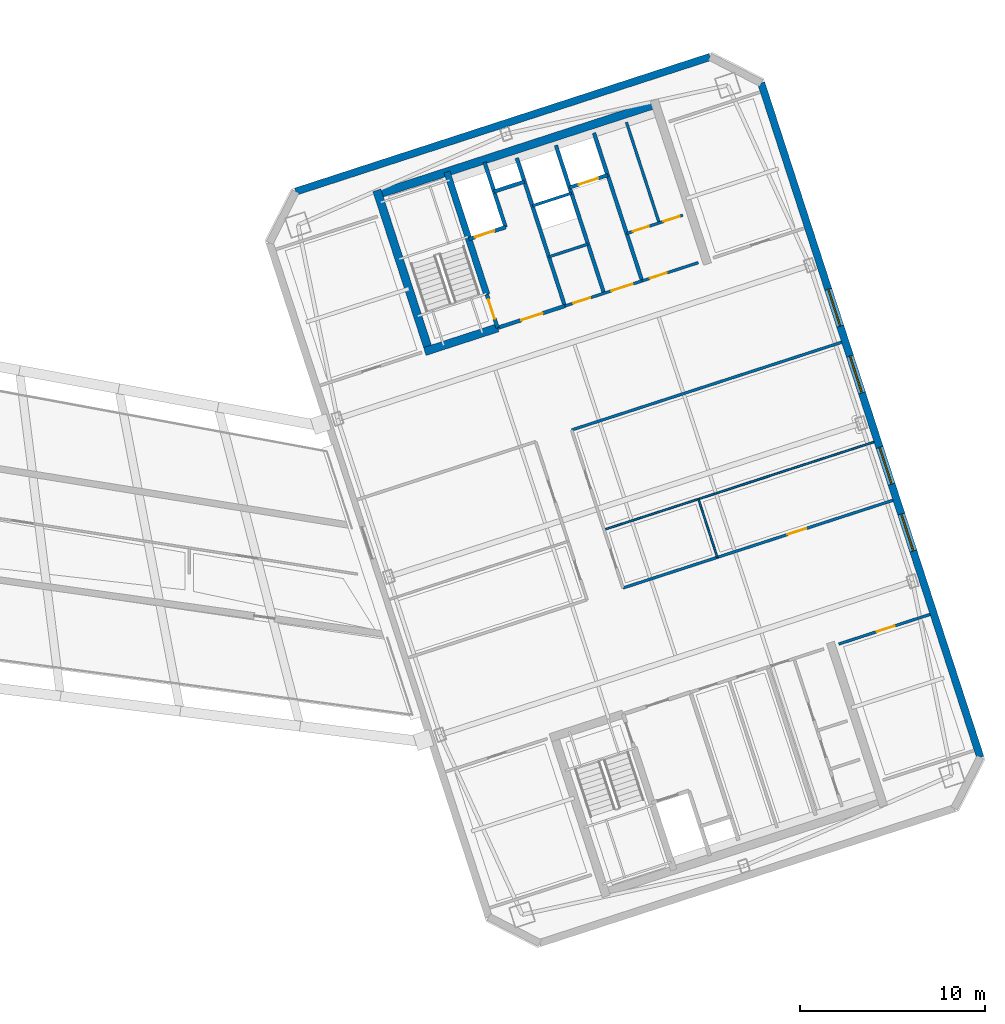
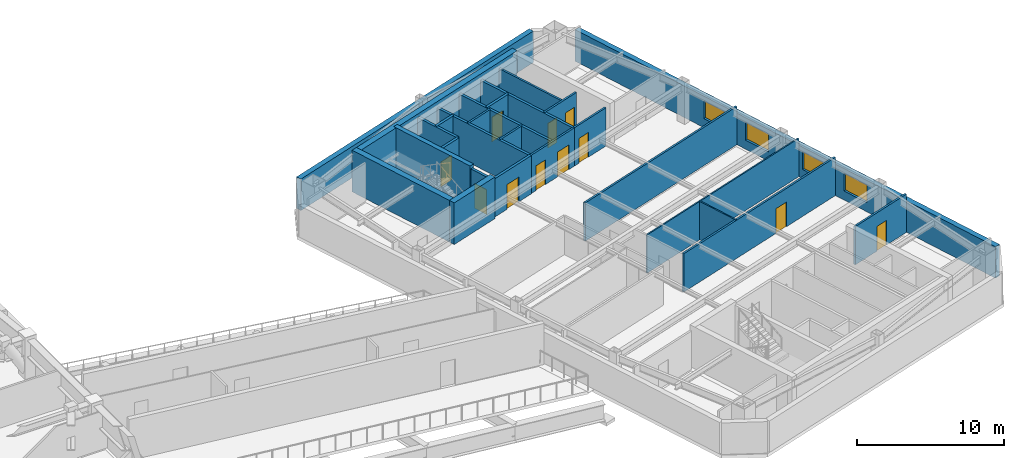
# One storey, part 10 of 18: 26 walls, 11 doors, 4 windows, 15 openings.
"""IFC4 building model written with IfcOpenShell, lengths in metres."""

from ifc_helpers import new_model, si_unit, direction, frame, frame_2d, origin, place, context, subcontext, project, spatial, rectangle, extrude, material, layer, layer_set, type_object, element, fill, save


model = new_model("IFC4")

# Units and contexts
model_context = context("Model", 3, precision=1e-05, world=origin(), true_north=direction((0.0, 1.0)))
body_context = subcontext(model_context, "Body", "Model", "MODEL_VIEW")
ifc_project = project(units=[si_unit("LENGTHUNIT", "METRE"), si_unit("AREAUNIT", "SQUARE_METRE"), si_unit("VOLUMEUNIT", "CUBIC_METRE"), si_unit("PLANEANGLEUNIT", "RADIAN"), si_unit("MASSUNIT", "GRAM", prefix="KILO")], contexts=[model_context])

# Site, building, storey
site_placement = place(None, origin())
site = spatial("IfcSite", under=ifc_project, at=site_placement, CompositionType="ELEMENT")
building_placement = place(site_placement, origin())
building = spatial("IfcBuilding", under=site, at=building_placement, Name="Qiaolan Cultural Towers", CompositionType="ELEMENT")
storey_placement = place(building_placement, frame((0.0, 0.0, 219.64990234375)))
storey = spatial("IfcBuildingStorey", under=building, at=storey_placement, Name="L59", CompositionType="ELEMENT", Elevation=219.64990234375)

# Walls
ifc_material_1 = material(Name="Concrete C50", Category="concrete")
ifc_layer_1 = layer(ifc_material_1, 0.35009765625)
ifc_layer_set_1 = layer_set([ifc_layer_1], Name="Concrete C50")
wall_type_1 = type_object("IfcWallType", Name="WL-CORE-350", PredefinedType="SHEAR", material=ifc_layer_set_1)
wall_1_placement = place(storey_placement, frame((82.513671875, 45.13134765625, 0.0), z_axis=(0.0, 0.0, 1.0), x_axis=(-0.308988790936, 0.951065679686, 0.0)))
element("IfcWall", 1, at=wall_1_placement, inside=storey, type_object=wall_type_1, Name="L59 T2-CN Stair Core Dividing Web", PredefinedType="SHEAR", context=body_context, shape_type="SweptSolid", body=[
    extrude(rectangle(XDim=6.97998046875, YDim=0.35009765625, at=frame_2d((3.489990234375, 0.0))), origin(), (0.0, 0.0, 1.0), 3.4501953125),
])
ifc_material_2 = material(Name="Concrete C50", Category="concrete")
ifc_layer_2 = layer(ifc_material_2, 0.449951171875)
ifc_layer_set_2 = layer_set([ifc_layer_2], Name="Concrete C50")
wall_type_2 = type_object("IfcWallType", Name="WL-CORE-450", PredefinedType="SHEAR", material=ifc_layer_set_2)
wall_2_placement = place(storey_placement, frame((76.414794921875, 50.489013671875, 0.0), z_axis=(0.0, 0.0, 1.0), x_axis=(0.951056810414, 0.309016089169, 0.0)))
element("IfcWall", 2, at=wall_2_placement, inside=storey, type_object=wall_type_2, Name="L59 T2-CN Outer Core Shear Wall", PredefinedType="SHEAR", context=body_context, shape_type="SweptSolid", body=[
    extrude(rectangle(XDim=16.25, YDim=0.449951171875, at=frame_2d((8.125, 0.0))), origin(), (0.0, 0.0, 1.0), 3.4501953125),
])
wall_3_placement = place(storey_placement, frame((79.4423828125, 41.899169921875, 0.0), z_axis=(0.0, 0.0, 1.0), x_axis=(-0.309035778627, 0.951050412717, 0.0)))
element("IfcWall", 3, at=wall_3_placement, inside=storey, type_object=wall_type_2, Name="L59 T2-CN West Core Shear Wall", PredefinedType="SHEAR", context=body_context, shape_type="SweptSolid", body=[
    extrude(rectangle(XDim=9.330078125, YDim=0.449951171875, at=frame_2d((4.6650390625, 0.0))), origin(), (0.0, 0.0, 1.0), 3.4501953125),
])
wall_4_placement = place(storey_placement, frame((79.15869140625, 42.04345703125, 0.0), z_axis=(0.0, 0.0, 1.0), x_axis=(0.951047485828, 0.309044785913, 0.0)))
element("IfcWall", 4, at=wall_4_placement, inside=storey, type_object=wall_type_2, Name="L59 T2-CN Stair Front Shear Wall", PredefinedType="SHEAR", context=body_context, shape_type="SweptSolid", body=[
    extrude(rectangle(XDim=4.14501953125, YDim=0.449951171875, at=frame_2d((2.072509765625, 0.0))), origin(), (0.0, 0.0, 1.0), 3.4501953125),
])
ifc_material_3 = material(Name="Precast Concrete C50 Honed Stone Pier", Category="masonry")
ifc_layer_3 = layer(ifc_material_3, 0.39990234375)
ifc_layer_set_3 = layer_set([ifc_layer_3], Name="Precast Concrete C50 Honed Stone Pier")
wall_type_3 = type_object("IfcWallType", Name="WL-EXT-PIER-400", PredefinedType="SOLIDWALL", material=ifc_layer_set_3)
wall_5_placement = place(storey_placement, frame((72.16455078125, 50.706298828125, 0.0), z_axis=(0.0, 0.0, 1.0), x_axis=(0.951058012937, 0.309012388148, 0.0)))
element("IfcWall", 5, at=wall_5_placement, inside=storey, type_object=wall_type_3, Name="L59 East Tower Precast Pier Facade Wall F3", PredefinedType="SOLIDWALL", context=body_context, shape_type="SweptSolid", body=[
    extrude(rectangle(XDim=23.60009765625, YDim=0.39990234375, at=frame_2d((11.800048828125, 0.0))), origin(), (0.0, 0.0, 1.0), 2.610107421875),
])

# Wall, openings, windows
wall_6_placement = place(storey_placement, frame((97.381591796875, 56.58642578125, 0.0), z_axis=(0.0, 0.0, 1.0), x_axis=(0.309016491071, -0.951056679828, 0.0)))
wall_6 = element("IfcWall", 6, at=wall_6_placement, inside=storey, type_object=wall_type_3, Name="L59 East Tower Precast Pier Facade Wall F5", PredefinedType="SOLIDWALL", context=body_context, shape_type="SweptSolid", body=[
    extrude(rectangle(XDim=38.39990234375, YDim=0.39990234375, at=frame_2d((19.199951171875, 0.0))), origin(), (0.0, 0.0, 1.0), 2.610107421875),
])
opening_1_placement = place(wall_6_placement, frame((24.550048828125, 0.0, 0.75)))
opening_1 = element("IfcOpeningElement", 7, at=opening_1_placement, cuts=wall_6, Name="Opening W-05", PredefinedType="OPENING", context=body_context, shape_type="SweptSolid", body=[
    extrude(rectangle(XDim=2.10009765625, YDim=1.4599609375, at=frame_2d((1.050048828125, 0.72998046875))), frame((0.0, 0.2099609375, 0.0), z_axis=(0.0, -1.0, 0.0), x_axis=(1.0, 0.0, 0.0)), (0.0, 0.0, 1.0), 0.419921875),
])
opening_2_placement = place(wall_6_placement, frame((20.75, 0.0, 0.75)))
opening_2 = element("IfcOpeningElement", 8, at=opening_2_placement, cuts=wall_6, Name="Opening W-05", PredefinedType="OPENING", context=body_context, shape_type="SweptSolid", body=[
    extrude(rectangle(XDim=2.10009765625, YDim=1.4599609375, at=frame_2d((1.050048828125, 0.72998046875))), frame((0.0, 0.2099609375, 0.0), z_axis=(0.0, -1.0, 0.0), x_axis=(1.0, 0.0, 0.0)), (0.0, 0.0, 1.0), 0.419921875),
])
opening_3_placement = place(wall_6_placement, frame((15.550048828125, 0.0, 0.75)))
opening_3 = element("IfcOpeningElement", 9, at=opening_3_placement, cuts=wall_6, Name="Opening W-05", PredefinedType="OPENING", context=body_context, shape_type="SweptSolid", body=[
    extrude(rectangle(XDim=2.10009765625, YDim=1.4599609375, at=frame_2d((1.050048828125, 0.72998046875))), frame((0.0, 0.2099609375, 0.0), z_axis=(0.0, -1.0, 0.0), x_axis=(1.0, 0.0, 0.0)), (0.0, 0.0, 1.0), 0.419921875),
])
opening_4_placement = place(wall_6_placement, frame((11.75, 0.0, 0.75)))
opening_4 = element("IfcOpeningElement", 10, at=opening_4_placement, cuts=wall_6, Name="Opening W-05", PredefinedType="OPENING", context=body_context, shape_type="SweptSolid", body=[
    extrude(rectangle(XDim=2.10009765625, YDim=1.4599609375, at=frame_2d((1.050048828125, 0.72998046875))), frame((0.0, 0.2099609375, 0.0), z_axis=(0.0, -1.0, 0.0), x_axis=(1.0, 0.0, 0.0)), (0.0, 0.0, 1.0), 0.419921875),
])
ifc_material_4 = material(Name="Thermally Broken Aluminium Triple Low-E Glazing", Category="aluminium")
window_type = type_object("IfcWindowType", Name="WN-CHIC-2100", PartitioningType="SINGLE_PANEL", PredefinedType="WINDOW", material=ifc_material_4)
window_1_placement = place(opening_1_placement, origin())
window_1 = element("IfcWindow", 11, at=window_1_placement, inside=storey, type_object=window_type, Name="L59 T2 E Chicago Bay Window 1", OverallHeight=1.4599609375, OverallWidth=2.10009765625, PartitioningType="TRIPLE_PANEL_VERTICAL", PredefinedType="WINDOW", context=body_context, shape_type="SweptSolid", body=[
    extrude(rectangle(XDim=2.10009765625, YDim=1.4599609375, at=frame_2d((1.050048828125, 0.72998046875))), frame((0.0, 0.030029296875, 0.0), z_axis=(0.0, -1.0, 0.0), x_axis=(1.0, 0.0, 0.0)), (0.0, 0.0, 1.0), 0.06005859375),
])
fill(opening_1, window_1)
window_2_placement = place(opening_2_placement, origin())
window_2 = element("IfcWindow", 12, at=window_2_placement, inside=storey, type_object=window_type, Name="L59 T2 E Chicago Bay Window 2", OverallHeight=1.4599609375, OverallWidth=2.10009765625, PartitioningType="TRIPLE_PANEL_VERTICAL", PredefinedType="WINDOW", context=body_context, shape_type="SweptSolid", body=[
    extrude(rectangle(XDim=2.10009765625, YDim=1.4599609375, at=frame_2d((1.050048828125, 0.72998046875))), frame((0.0, 0.030029296875, 0.0), z_axis=(0.0, -1.0, 0.0), x_axis=(1.0, 0.0, 0.0)), (0.0, 0.0, 1.0), 0.06005859375),
])
fill(opening_2, window_2)
window_3_placement = place(opening_3_placement, origin())
window_3 = element("IfcWindow", 13, at=window_3_placement, inside=storey, type_object=window_type, Name="L59 T2 E Chicago Bay Window 3", OverallHeight=1.4599609375, OverallWidth=2.10009765625, PartitioningType="TRIPLE_PANEL_VERTICAL", PredefinedType="WINDOW", context=body_context, shape_type="SweptSolid", body=[
    extrude(rectangle(XDim=2.10009765625, YDim=1.4599609375, at=frame_2d((1.050048828125, 0.72998046875))), frame((0.0, 0.030029296875, 0.0), z_axis=(0.0, -1.0, 0.0), x_axis=(1.0, 0.0, 0.0)), (0.0, 0.0, 1.0), 0.06005859375),
])
fill(opening_3, window_3)
window_4_placement = place(opening_4_placement, origin())
window_4 = element("IfcWindow", 14, at=window_4_placement, inside=storey, type_object=window_type, Name="L59 T2 E Chicago Bay Window 4", OverallHeight=1.4599609375, OverallWidth=2.10009765625, PartitioningType="TRIPLE_PANEL_VERTICAL", PredefinedType="WINDOW", context=body_context, shape_type="SweptSolid", body=[
    extrude(rectangle(XDim=2.10009765625, YDim=1.4599609375, at=frame_2d((1.050048828125, 0.72998046875))), frame((0.0, 0.030029296875, 0.0), z_axis=(0.0, -1.0, 0.0), x_axis=(1.0, 0.0, 0.0)), (0.0, 0.0, 1.0), 0.06005859375),
])
fill(opening_4, window_4)

# Wall, opening, door
ifc_material_5 = material(Name="Concrete C35 Fire Wall", Category="concrete")
ifc_layer_4 = layer(ifc_material_5, 0.199951171875)
ifc_layer_set_4 = layer_set([ifc_layer_4], Name="Concrete C35 Fire Wall")
wall_type_4 = type_object("IfcWallType", Name="WL-FIRE-200", PredefinedType="PARTITIONING", material=ifc_layer_set_4)
wall_7_placement = place(storey_placement, frame((83.100830078125, 43.324462890625, 0.0), z_axis=(0.0, 0.0, 1.0), x_axis=(-0.309048298632, 0.951046344356, 0.0)))
wall_7 = element("IfcWall", 15, at=wall_7_placement, inside=storey, type_object=wall_type_4, Name="L59 T2-CN Smokeproof Stair Entry Wall", PredefinedType="PARTITIONING", context=body_context, shape_type="SweptSolid", body=[
    extrude(rectangle(XDim=1.89990234375, YDim=0.199951171875, at=frame_2d((0.949951171875, 0.0))), origin(), (0.0, 0.0, 1.0), 3.175048828125),
])
opening_5_placement = place(wall_7_placement, frame((0.52001953125, 0.0, 0.0)))
opening_5 = element("IfcOpeningElement", 16, at=opening_5_placement, cuts=wall_7, Name="Opening FD-04", PredefinedType="OPENING", context=body_context, shape_type="SweptSolid", body=[
    extrude(rectangle(XDim=1.10009765625, YDim=2.050048828125, at=frame_2d((0.550048828125, 1.02490234375))), frame((0.0, 0.10986328125, 0.0), z_axis=(0.0, -1.0, 0.0), x_axis=(1.0, 0.0, 0.0)), (0.0, 0.0, 1.0), 0.219970703125),
])
ifc_material_6 = material(Name="Galvanized Steel Command Fire Door", Category="steel")
door_type_1 = type_object("IfcDoorType", Name="DR-FD90-1100", OperationType="NOTDEFINED", PredefinedType="DOOR", material=ifc_material_6)
door_1_placement = place(opening_5_placement, origin())
door_1 = element("IfcDoor", 17, at=door_1_placement, inside=storey, type_object=door_type_1, Name="L59 ST-E2 Smokeproof Stair Fire Door", OperationType="SINGLE_SWING_LEFT", OverallHeight=2.050048828125, OverallWidth=1.10009765625, PredefinedType="DOOR", context=body_context, shape_type="SweptSolid", body=[
    extrude(rectangle(XDim=1.10009765625, YDim=2.050048828125, at=frame_2d((0.550048828125, 1.02490234375))), frame((0.0, 0.02490234375, 0.0), z_axis=(0.0, -1.0, 0.0), x_axis=(1.0, 0.0, 0.0)), (0.0, 0.0, 1.0), 0.050048828125),
])
fill(opening_5, door_1)

# Wall
wall_8_placement = place(storey_placement, frame((86.743408203125, 44.508056640625, 0.0), z_axis=(0.0, 0.0, 1.0), x_axis=(-0.309016001439, 0.951056838919, 0.0)))
element("IfcWall", 18, at=wall_8_placement, inside=storey, type_object=wall_type_4, Name="L59 T2-CN Firefighting Zone Wall", PredefinedType="PARTITIONING", context=body_context, shape_type="SweptSolid", body=[
    extrude(rectangle(XDim=8.429931640625, YDim=0.199951171875, at=frame_2d((4.21484375, 0.0))), origin(), (0.0, 0.0, 1.0), 3.175048828125),
])

# Wall, opening, door
wall_9_placement = place(storey_placement, frame((83.100830078125, 43.324462890625, 0.0), z_axis=(0.0, 0.0, 1.0), x_axis=(0.951052804469, 0.309028417967, 0.0)))
wall_9 = element("IfcWall", 19, at=wall_9_placement, inside=storey, type_object=wall_type_4, Name="L59 T2-CN Firefighting Lobby Front Wall", PredefinedType="PARTITIONING", context=body_context, shape_type="SweptSolid", body=[
    extrude(rectangle(XDim=3.830078125, YDim=0.199951171875, at=frame_2d((1.9150390625, 0.0))), origin(), (0.0, 0.0, 1.0), 3.175048828125),
])
opening_6_placement = place(wall_9_placement, frame((1.35009765625, 0.0, 0.0)))
opening_6 = element("IfcOpeningElement", 20, at=opening_6_placement, cuts=wall_9, Name="Opening FD-03", PredefinedType="OPENING", context=body_context, shape_type="SweptSolid", body=[
    extrude(rectangle(XDim=1.199951171875, YDim=2.050048828125, at=frame_2d((0.60009765625, 1.02490234375))), frame((0.0, 0.10986328125, 0.0), z_axis=(0.0, -1.0, 0.0), x_axis=(1.0, 0.0, 0.0)), (0.0, 0.0, 1.0), 0.219970703125),
])
ifc_material_7 = material(Name="Galvanized Steel Smokeproof Lobby Fire Door", Category="steel")
door_type_2 = type_object("IfcDoorType", Name="DR-FD90-1200", OperationType="NOTDEFINED", PredefinedType="DOOR", material=ifc_material_7)
door_2_placement = place(opening_6_placement, origin())
door_2 = element("IfcDoor", 21, at=door_2_placement, inside=storey, type_object=door_type_2, Name="L59 FFL-E2 Firefighting Lobby Fire Door", OperationType="SINGLE_SWING_LEFT", OverallHeight=2.050048828125, OverallWidth=1.199951171875, PredefinedType="DOOR", context=body_context, shape_type="SweptSolid", body=[
    extrude(rectangle(XDim=1.199951171875, YDim=2.050048828125, at=frame_2d((0.60009765625, 1.02490234375))), frame((0.0, 0.02490234375, 0.0), z_axis=(0.0, -1.0, 0.0), x_axis=(1.0, 0.0, 0.0)), (0.0, 0.0, 1.0), 0.050048828125),
])
fill(opening_6, door_2)

wall_10_placement = place(storey_placement, frame((81.540283203125, 48.127197265625, 0.0), z_axis=(0.0, 0.0, 1.0), x_axis=(0.951062257173, 0.308999325213, 0.0)))
wall_10 = element("IfcWall", 22, at=wall_10_placement, inside=storey, type_object=wall_type_4, Name="L59 T2-CN Firefighting Shaft Front Wall", PredefinedType="PARTITIONING", context=body_context, shape_type="SweptSolid", body=[
    extrude(rectangle(XDim=2.10009765625, YDim=0.199951171875, at=frame_2d((1.050048828125, 0.0))), origin(), (0.0, 0.0, 1.0), 3.175048828125),
])
opening_7_placement = place(wall_10_placement, frame((0.35009765625, 0.0, 0.0)))
opening_7 = element("IfcOpeningElement", 23, at=opening_7_placement, cuts=wall_10, Name="Opening LD-01", PredefinedType="OPENING", context=body_context, shape_type="SweptSolid", body=[
    extrude(rectangle(XDim=1.10009765625, YDim=2.050048828125, at=frame_2d((0.550048828125, 1.02490234375))), frame((0.0, 0.10986328125, 0.0), z_axis=(0.0, -1.0, 0.0), x_axis=(1.0, 0.0, 0.0)), (0.0, 0.0, 1.0), 0.219970703125),
])
ifc_material_8 = material(Name="Brushed Stainless Steel S30408 Centre-Parting Lift Landing Door", Category="steel")
door_type_3 = type_object("IfcDoorType", Name="DR-LIFT-1100", OperationType="NOTDEFINED", PredefinedType="DOOR", material=ifc_material_8)
door_3_placement = place(opening_7_placement, origin())
door_3 = element("IfcDoor", 24, at=door_3_placement, inside=storey, type_object=door_type_3, Name="L59 FFL-E2 Firefighting Lift Landing Door", OperationType="DOUBLE_DOOR_SLIDING", OverallHeight=2.050048828125, OverallWidth=1.10009765625, PredefinedType="DOOR", context=body_context, shape_type="SweptSolid", body=[
    extrude(rectangle(XDim=1.10009765625, YDim=2.050048828125, at=frame_2d((0.550048828125, 1.02490234375))), frame((0.0, 0.02490234375, 0.0), z_axis=(0.0, -1.0, 0.0), x_axis=(1.0, 0.0, 0.0)), (0.0, 0.0, 1.0), 0.050048828125),
])
fill(opening_7, door_3)

# Walls
wall_11_placement = place(storey_placement, frame((83.53759765625, 48.776123046875, 0.0), z_axis=(0.0, 0.0, 1.0), x_axis=(-0.3089935693, 0.951064127245, 0.0)))
element("IfcWall", 25, at=wall_11_placement, inside=storey, type_object=wall_type_4, Name="L59 T2-CN Firefighting Hoistway East Wall", PredefinedType="PARTITIONING", context=body_context, shape_type="SweptSolid", body=[
    extrude(rectangle(XDim=3.7001953125, YDim=0.199951171875, at=frame_2d((1.85009765625, 0.0))), origin(), (0.0, 0.0, 1.0), 3.175048828125),
])
wall_12_placement = place(storey_placement, frame((82.910400390625, 50.706787109375, 0.0), z_axis=(0.0, 0.0, 1.0), x_axis=(0.951041328149, 0.309063734775, 0.0)))
element("IfcWall", 26, at=wall_12_placement, inside=storey, type_object=wall_type_4, Name="L59 T2-CN Pressurization Shaft Front Wall", PredefinedType="PARTITIONING", context=body_context, shape_type="SweptSolid", body=[
    extrude(rectangle(XDim=1.72998046875, YDim=0.199951171875, at=frame_2d((0.864990234375, 0.0))), origin(), (0.0, 0.0, 1.0), 3.175048828125),
])
wall_13_placement = place(storey_placement, frame((90.92822265625, 45.86767578125, 0.0), z_axis=(0.0, 0.0, 1.0), x_axis=(-0.309042196757, 0.951048327176, 0.0)))
element("IfcWall", 27, at=wall_13_placement, inside=storey, type_object=wall_type_4, Name="L59 T2-CN Lift Core East Wall", PredefinedType="PARTITIONING", context=body_context, shape_type="SweptSolid", body=[
    extrude(rectangle(XDim=8.429931640625, YDim=0.199951171875, at=frame_2d((4.21484375, 0.0))), origin(), (0.0, 0.0, 1.0), 3.175048828125),
])
wall_14_placement = place(storey_placement, frame((88.8642578125, 45.197021484375, 0.0), z_axis=(0.0, 0.0, 1.0), x_axis=(-0.309007490203, 0.951059604335, 0.0)))
element("IfcWall", 28, at=wall_14_placement, inside=storey, type_object=wall_type_4, Name="L59 T2-CN Sky Shuttle Lift Zone Wall", PredefinedType="PARTITIONING", context=body_context, shape_type="SweptSolid", body=[
    extrude(rectangle(XDim=8.43017578125, YDim=0.199951171875, at=frame_2d((4.215087890625, 0.0))), origin(), (0.0, 0.0, 1.0), 3.175048828125),
])

# Wall, opening, door
wall_15_placement = place(storey_placement, frame((87.004150390625, 50.92236328125, 0.0), z_axis=(0.0, 0.0, 1.0), x_axis=(0.951041509718, 0.309063176055, 0.0)))
wall_15 = element("IfcWall", 29, at=wall_15_placement, inside=storey, type_object=wall_type_4, Name="L59 T2-CN Shuttle Lift Shaft Front", PredefinedType="PARTITIONING", context=body_context, shape_type="SweptSolid", body=[
    extrude(rectangle(XDim=2.169921875, YDim=0.199951171875, at=frame_2d((1.0849609375, 0.0))), origin(), (0.0, 0.0, 1.0), 3.175048828125),
])
opening_8_placement = place(wall_15_placement, frame((0.52001953125, 0.0, 0.0)))
opening_8 = element("IfcOpeningElement", 30, at=opening_8_placement, cuts=wall_15, Name="Opening LD-01", PredefinedType="OPENING", context=body_context, shape_type="SweptSolid", body=[
    extrude(rectangle(XDim=1.10009765625, YDim=2.050048828125, at=frame_2d((0.550048828125, 1.02490234375))), frame((0.0, 0.10986328125, 0.0), z_axis=(0.0, -1.0, 0.0), x_axis=(1.0, 0.0, 0.0)), (0.0, 0.0, 1.0), 0.219970703125),
])
door_4_placement = place(opening_8_placement, origin())
door_4 = element("IfcDoor", 31, at=door_4_placement, inside=storey, type_object=door_type_3, Name="L59 Sky Shuttle Lift Landing Door", OperationType="DOUBLE_DOOR_SLIDING", OverallHeight=2.050048828125, OverallWidth=1.10009765625, PredefinedType="DOOR", context=body_context, shape_type="SweptSolid", body=[
    extrude(rectangle(XDim=1.10009765625, YDim=2.050048828125, at=frame_2d((0.550048828125, 1.02490234375))), frame((0.0, 0.02490234375, 0.0), z_axis=(0.0, -1.0, 0.0), x_axis=(1.0, 0.0, 0.0)), (0.0, 0.0, 1.0), 0.050048828125),
])
fill(opening_8, door_4)

# Walls
ifc_material_9 = material(Name="Acoustic Double-Glazed Partition Frame", Category="glass")
ifc_layer_5 = layer(ifc_material_9, 0.10009765625)
ifc_layer_set_5 = layer_set([ifc_layer_5], Name="Acoustic Double-Glazed Partition Frame")
wall_type_5 = type_object("IfcWallType", Name="WL-GLAZED-100", PredefinedType="MOVABLE", material=ifc_layer_set_5)
wall_16_placement = place(storey_placement, frame((95.004638671875, 30.89453125, 0.0), z_axis=(0.0, 0.0, 1.0), x_axis=(-0.30900459381, 0.951060545394, 0.0)))
element("IfcWall", 32, at=wall_16_placement, inside=storey, type_object=wall_type_5, Name="L59 T2 Interior Wall", PredefinedType="MOVABLE", context=body_context, shape_type="SweptSolid", body=[
    extrude(rectangle(XDim=3.320068359375, YDim=0.10009765625, at=frame_2d((1.66015625, 0.0))), origin(), (0.0, 0.0, 1.0), 3.175048828125),
])
wall_17_placement = place(storey_placement, frame((88.86669921875, 32.39111328125, 0.0), z_axis=(0.0, 0.0, 1.0), x_axis=(0.951059970956, 0.309006361819, 0.0)))
element("IfcWall", 33, at=wall_17_placement, inside=storey, type_object=wall_type_5, Name="L59 T2 Interior Wall", PredefinedType="MOVABLE", context=body_context, shape_type="SweptSolid", body=[
    extrude(rectangle(XDim=15.375, YDim=0.10009765625, at=frame_2d((7.6875, 0.0))), origin(), (0.0, 0.0, 1.0), 3.175048828125),
])

# Wall, openings, doors
ifc_material_10 = material(Name="Autoclaved Aerated Concrete Block B06", Category="concrete")
ifc_layer_6 = layer(ifc_material_10, 0.14990234375)
ifc_layer_set_6 = layer_set([ifc_layer_6], Name="Autoclaved Aerated Concrete Block B06")
wall_type_6 = type_object("IfcWallType", Name="WL-PART-150", PredefinedType="PARTITIONING", material=ifc_layer_set_6)
wall_18_placement = place(storey_placement, frame((86.743408203125, 44.508056640625, 0.0), z_axis=(0.0, 0.0, 1.0), x_axis=(0.951063829732, 0.308994485023, 0.0)))
wall_18 = element("IfcWall", 34, at=wall_18_placement, inside=storey, type_object=wall_type_6, Name="L59 T2-CN High-Zone Lift Lobby Wall", PredefinedType="PARTITIONING", context=body_context, shape_type="SweptSolid", body=[
    extrude(rectangle(XDim=4.400146484375, YDim=0.14990234375, at=frame_2d((2.2001953125, 0.0))), origin(), (0.0, 0.0, 1.0), 3.175048828125),
])
opening_9_placement = place(wall_18_placement, frame((0.5, 0.0, 0.0)))
opening_9 = element("IfcOpeningElement", 35, at=opening_9_placement, cuts=wall_18, Name="Opening ID-05", PredefinedType="OPENING", context=body_context, shape_type="SweptSolid", body=[
    extrude(rectangle(XDim=0.949951171875, YDim=2.050048828125, at=frame_2d((0.47509765625, 1.02490234375))), frame((0.0, 0.0849609375, 0.0), z_axis=(0.0, -1.0, 0.0), x_axis=(1.0, 0.0, 0.0)), (0.0, 0.0, 1.0), 0.169921875),
])
opening_10_placement = place(wall_18_placement, frame((2.64990234375, 0.0, 0.0)))
opening_10 = element("IfcOpeningElement", 36, at=opening_10_placement, cuts=wall_18, Name="Opening FD-06", PredefinedType="OPENING", context=body_context, shape_type="SweptSolid", body=[
    extrude(rectangle(XDim=1.199951171875, YDim=2.050048828125, at=frame_2d((0.60009765625, 1.02490234375))), frame((0.0, 0.0849609375, 0.0), z_axis=(0.0, -1.0, 0.0), x_axis=(1.0, 0.0, 0.0)), (0.0, 0.0, 1.0), 0.169921875),
])
ifc_material_11 = material(Name="Painted Steel Plant Fire Door", Category="steel")
door_type_4 = type_object("IfcDoorType", Name="DR-FD60-1200", OperationType="NOTDEFINED", PredefinedType="DOOR", material=ifc_material_11)
door_5_placement = place(opening_10_placement, origin())
door_5 = element("IfcDoor", 37, at=door_5_placement, inside=storey, type_object=door_type_4, Name="L59 Sky Shuttle Lift Lobby Door", OperationType="SINGLE_SWING_RIGHT", OverallHeight=2.050048828125, OverallWidth=1.199951171875, PredefinedType="DOOR", context=body_context, shape_type="SweptSolid", body=[
    extrude(rectangle(XDim=1.199951171875, YDim=2.050048828125, at=frame_2d((0.60009765625, 1.02490234375))), frame((0.0, 0.02490234375, 0.0), z_axis=(0.0, -1.0, 0.0), x_axis=(1.0, 0.0, 0.0)), (0.0, 0.0, 1.0), 0.050048828125),
])
fill(opening_10, door_5)
ifc_material_12 = material(Name="Fire-Rated Laminate Accessible Core Door", Category="timber")
door_type_5 = type_object("IfcDoorType", Name="DR-INT-950", OperationType="NOTDEFINED", PredefinedType="DOOR", material=ifc_material_12)
door_6_placement = place(opening_9_placement, origin())
door_6 = element("IfcDoor", 38, at=door_6_placement, inside=storey, type_object=door_type_5, Name="L59 Reclaimed Server Room Door", OperationType="SINGLE_SWING_LEFT", OverallHeight=2.050048828125, OverallWidth=0.949951171875, PredefinedType="DOOR", context=body_context, shape_type="SweptSolid", body=[
    extrude(rectangle(XDim=0.949951171875, YDim=2.050048828125, at=frame_2d((0.47509765625, 1.02490234375))), frame((0.0, 0.02490234375, 0.0), z_axis=(0.0, -1.0, 0.0), x_axis=(1.0, 0.0, 0.0)), (0.0, 0.0, 1.0), 0.050048828125),
])
fill(opening_9, door_6)

# Walls
for number, where, z_axis, x_axis, name in (
    (39, (85.878173828125, 47.1708984375, 0.0), (0.0, 0.0, 1.0), (0.951042918244, 0.309058841741, 0.0), "L59 T2-CN High-Zone Reclaimed Split 1"),
    (40, (84.982177734375, 49.928955078125, 0.0), (0.0, 0.0, 1.0), (0.951042918244, 0.309058841741, 0.0), "L59 T2-CN High-Zone Reclaimed Split 2"),
):
    element("IfcWall", number, at=place(storey_placement, frame(where, z_axis=z_axis, x_axis=x_axis)), inside=storey, type_object=wall_type_6, Name=name, PredefinedType="PARTITIONING", context=body_context, shape_type="SweptSolid", body=[
        extrude(rectangle(XDim=2.22998046875, YDim=0.14990234375, at=frame_2d((1.114990234375, 0.0))), origin(), (0.0, 0.0, 1.0), 3.175048828125),
    ])

# Wall, opening, door
wall_19_placement = place(storey_placement, frame((90.92822265625, 45.86767578125, 0.0), z_axis=(0.0, 0.0, 1.0), x_axis=(0.951059297078, 0.309008435874, 0.0)))
wall_19 = element("IfcWall", 41, at=wall_19_placement, inside=storey, type_object=wall_type_6, Name="L59 T2-CN Sanitary Core Front Wall", PredefinedType="PARTITIONING", context=body_context, shape_type="SweptSolid", body=[
    extrude(rectangle(XDim=3.19970703125, YDim=0.14990234375, at=frame_2d((1.599853515625, 0.0))), origin(), (0.0, 0.0, 1.0), 3.175048828125),
])
opening_11_placement = place(wall_19_placement, frame((0.449951171875, 0.0, 0.0)))
opening_11 = element("IfcOpeningElement", 42, at=opening_11_placement, cuts=wall_19, Name="Opening ID-05", PredefinedType="OPENING", context=body_context, shape_type="SweptSolid", body=[
    extrude(rectangle(XDim=0.949951171875, YDim=2.050048828125, at=frame_2d((0.47509765625, 1.02490234375))), frame((0.0, 0.0849609375, 0.0), z_axis=(0.0, -1.0, 0.0), x_axis=(1.0, 0.0, 0.0)), (0.0, 0.0, 1.0), 0.169921875),
])
door_7_placement = place(opening_11_placement, origin())
door_7 = element("IfcDoor", 43, at=door_7_placement, inside=storey, type_object=door_type_5, Name="L59 Sanitary Vestibule Door", OperationType="SINGLE_SWING_LEFT", OverallHeight=2.050048828125, OverallWidth=0.949951171875, PredefinedType="DOOR", context=body_context, shape_type="SweptSolid", body=[
    extrude(rectangle(XDim=0.949951171875, YDim=2.050048828125, at=frame_2d((0.47509765625, 1.02490234375))), frame((0.0, 0.02490234375, 0.0), z_axis=(0.0, -1.0, 0.0), x_axis=(1.0, 0.0, 0.0)), (0.0, 0.0, 1.0), 0.050048828125),
])
fill(opening_11, door_7)

# Wall, openings, doors
wall_20_placement = place(storey_placement, frame((90.09375, 48.435546875, 0.0), z_axis=(0.0, 0.0, 1.0), x_axis=(0.951066581729, 0.308986014439, 0.0)))
wall_20 = element("IfcWall", 44, at=wall_20_placement, inside=storey, type_object=wall_type_6, Name="L59 T2-CN Restroom Vestibule Wall", PredefinedType="PARTITIONING", context=body_context, shape_type="SweptSolid", body=[
    extrude(rectangle(XDim=3.199951171875, YDim=0.14990234375, at=frame_2d((1.60009765625, 0.0))), origin(), (0.0, 0.0, 1.0), 3.175048828125),
])
opening_12_placement = place(wall_20_placement, frame((0.35009765625, 0.0, 0.0)))
opening_12 = element("IfcOpeningElement", 45, at=opening_12_placement, cuts=wall_20, Name="Opening ID-06", PredefinedType="OPENING", context=body_context, shape_type="SweptSolid", body=[
    extrude(rectangle(XDim=0.89990234375, YDim=2.050048828125, at=frame_2d((0.449951171875, 1.02490234375))), frame((0.0, 0.0849609375, 0.0), z_axis=(0.0, -1.0, 0.0), x_axis=(1.0, 0.0, 0.0)), (0.0, 0.0, 1.0), 0.169921875),
])
opening_13_placement = place(wall_20_placement, frame((2.10009765625, 0.0, 0.0)))
opening_13 = element("IfcOpeningElement", 46, at=opening_13_placement, cuts=wall_20, Name="Opening ID-06", PredefinedType="OPENING", context=body_context, shape_type="SweptSolid", body=[
    extrude(rectangle(XDim=0.89990234375, YDim=2.050048828125, at=frame_2d((0.449951171875, 1.02490234375))), frame((0.0, 0.0849609375, 0.0), z_axis=(0.0, -1.0, 0.0), x_axis=(1.0, 0.0, 0.0)), (0.0, 0.0, 1.0), 0.169921875),
])
ifc_material_13 = material(Name="Fire-Rated Laminate Core Service Door", Category="timber")
door_type_6 = type_object("IfcDoorType", Name="DR-INT-900", OperationType="NOTDEFINED", PredefinedType="DOOR", material=ifc_material_13)
door_8_placement = place(opening_12_placement, origin())
door_8 = element("IfcDoor", 47, at=door_8_placement, inside=storey, type_object=door_type_6, Name="L59 Men Restroom Door", OperationType="SINGLE_SWING_LEFT", OverallHeight=2.050048828125, OverallWidth=0.89990234375, PredefinedType="DOOR", context=body_context, shape_type="SweptSolid", body=[
    extrude(rectangle(XDim=0.89990234375, YDim=2.050048828125, at=frame_2d((0.449951171875, 1.02490234375))), frame((0.0, 0.02490234375, 0.0), z_axis=(0.0, -1.0, 0.0), x_axis=(1.0, 0.0, 0.0)), (0.0, 0.0, 1.0), 0.050048828125),
])
fill(opening_12, door_8)
door_9_placement = place(opening_13_placement, origin())
door_9 = element("IfcDoor", 48, at=door_9_placement, inside=storey, type_object=door_type_6, Name="L59 Accessible & Women Restroom Door", OperationType="SINGLE_SWING_RIGHT", OverallHeight=2.050048828125, OverallWidth=0.89990234375, PredefinedType="DOOR", context=body_context, shape_type="SweptSolid", body=[
    extrude(rectangle(XDim=0.89990234375, YDim=2.050048828125, at=frame_2d((0.449951171875, 1.02490234375))), frame((0.0, 0.02490234375, 0.0), z_axis=(0.0, -1.0, 0.0), x_axis=(1.0, 0.0, 0.0)), (0.0, 0.0, 1.0), 0.050048828125),
])
fill(opening_13, door_9)

# Wall
wall_21_placement = place(storey_placement, frame((91.853271484375, 49.007080078125, 0.0), z_axis=(0.0, 0.0, 1.0), x_axis=(-0.309022487551, 0.951054731437, 0.0)))
element("IfcWall", 49, at=wall_21_placement, inside=storey, type_object=wall_type_6, Name="L59 T2-CN Restroom Divider Wall", PredefinedType="PARTITIONING", context=body_context, shape_type="SweptSolid", body=[
    extrude(rectangle(XDim=5.730224609375, YDim=0.14990234375, at=frame_2d((2.865234375, 0.0))), origin(), (0.0, 0.0, 1.0), 3.175048828125),
])

# Wall, opening, door
wall_22_placement = place(storey_placement, frame((101.578369140625, 26.196044921875, 0.0), z_axis=(0.0, 0.0, 1.0), x_axis=(0.951064427824, 0.308992644131, 0.0)))
wall_22 = element("IfcWall", 50, at=wall_22_placement, inside=storey, type_object=wall_type_6, Name="L59 T2 Flank Front FLK-SE", PredefinedType="PARTITIONING", context=body_context, shape_type="SweptSolid", body=[
    extrude(rectangle(XDim=5.19970703125, YDim=0.14990234375, at=frame_2d((2.599853515625, 0.0))), origin(), (0.0, 0.0, 1.0), 3.175048828125),
])
opening_14_placement = place(wall_22_placement, frame((2.18408203125, 0.0, 0.0)))
opening_14 = element("IfcOpeningElement", 51, at=opening_14_placement, cuts=wall_22, Name="Opening ID-04", PredefinedType="OPENING", context=body_context, shape_type="SweptSolid", body=[
    extrude(rectangle(XDim=1.0, YDim=2.050048828125, at=frame_2d((0.5, 1.02490234375))), frame((0.0, 0.0849609375, 0.0), z_axis=(0.0, -1.0, 0.0), x_axis=(1.0, 0.0, 0.0)), (0.0, 0.0, 1.0), 0.169921875),
])
ifc_material_14 = material(Name="Oak Veneer Acoustic Office Door", Category="timber")
door_type_7 = type_object("IfcDoorType", Name="DR-INT-1000", OperationType="NOTDEFINED", PredefinedType="DOOR", material=ifc_material_14)
door_10_placement = place(opening_14_placement, origin())
door_10 = element("IfcDoor", 52, at=door_10_placement, inside=storey, type_object=door_type_7, Name="L59 T2 Corner Studio Door", OperationType="SINGLE_SWING_LEFT", OverallHeight=2.050048828125, OverallWidth=1.0, PredefinedType="DOOR", context=body_context, shape_type="SweptSolid", body=[
    extrude(rectangle(XDim=1.0, YDim=2.050048828125, at=frame_2d((0.5, 1.02490234375))), frame((0.0, 0.02490234375, 0.0), z_axis=(0.0, -1.0, 0.0), x_axis=(1.0, 0.0, 0.0)), (0.0, 0.0, 1.0), 0.050048828125),
])
fill(opening_14, door_10)

wall_23_placement = place(storey_placement, frame((89.892578125, 29.233642578125, 0.0), z_axis=(0.0, 0.0, 1.0), x_axis=(0.951059970956, 0.309006361819, 0.0)))
wall_23 = element("IfcWall", 53, at=wall_23_placement, inside=storey, type_object=wall_type_6, Name="L59 T2 South Foyer East Wall", PredefinedType="PARTITIONING", context=body_context, shape_type="SweptSolid", body=[
    extrude(rectangle(XDim=15.375, YDim=0.14990234375, at=frame_2d((7.6875, 0.0))), origin(), (0.0, 0.0, 1.0), 3.175048828125),
])
opening_15_placement = place(wall_23_placement, frame((9.375, 0.0, 0.0)))
opening_15 = element("IfcOpeningElement", 54, at=opening_15_placement, cuts=wall_23, Name="Opening ID-07", PredefinedType="OPENING", context=body_context, shape_type="SweptSolid", body=[
    extrude(rectangle(XDim=1.050048828125, YDim=2.050048828125, at=frame_2d((0.52490234375, 1.02490234375))), frame((0.0, 0.0849609375, 0.0), z_axis=(0.0, -1.0, 0.0), x_axis=(1.0, 0.0, 0.0)), (0.0, 0.0, 1.0), 0.169921875),
])
ifc_material_15 = material(Name="Oak Veneer Consultation Door", Category="timber")
door_type_8 = type_object("IfcDoorType", Name="DR-INT-1050", OperationType="NOTDEFINED", PredefinedType="DOOR", material=ifc_material_15)
door_11_placement = place(opening_15_placement, origin())
door_11 = element("IfcDoor", 55, at=door_11_placement, inside=storey, type_object=door_type_8, Name="L59 T2 Curator Office Door", OperationType="SINGLE_SWING_RIGHT", OverallHeight=2.050048828125, OverallWidth=1.050048828125, PredefinedType="DOOR", context=body_context, shape_type="SweptSolid", body=[
    extrude(rectangle(XDim=1.050048828125, YDim=2.050048828125, at=frame_2d((0.52490234375, 1.02490234375))), frame((0.0, 0.02490234375, 0.0), z_axis=(0.0, -1.0, 0.0), x_axis=(1.0, 0.0, 0.0)), (0.0, 0.0, 1.0), 0.050048828125),
])
fill(opening_15, door_11)

# Wall
wall_24_placement = place(storey_placement, frame((87.111572265625, 37.79296875, 0.0), z_axis=(0.0, 0.0, 1.0), x_axis=(0.9510537879, 0.309025391387, 0.0)))
element("IfcWall", 56, at=wall_24_placement, inside=storey, type_object=wall_type_6, Name="L59 T2 North Foyer East Wall", PredefinedType="PARTITIONING", context=body_context, shape_type="SweptSolid", body=[
    extrude(rectangle(XDim=15.374755859375, YDim=0.14990234375, at=frame_2d((7.6875, 0.0))), origin(), (0.0, 0.0, 1.0), 3.175048828125),
])

save(model, "model.ifc")
